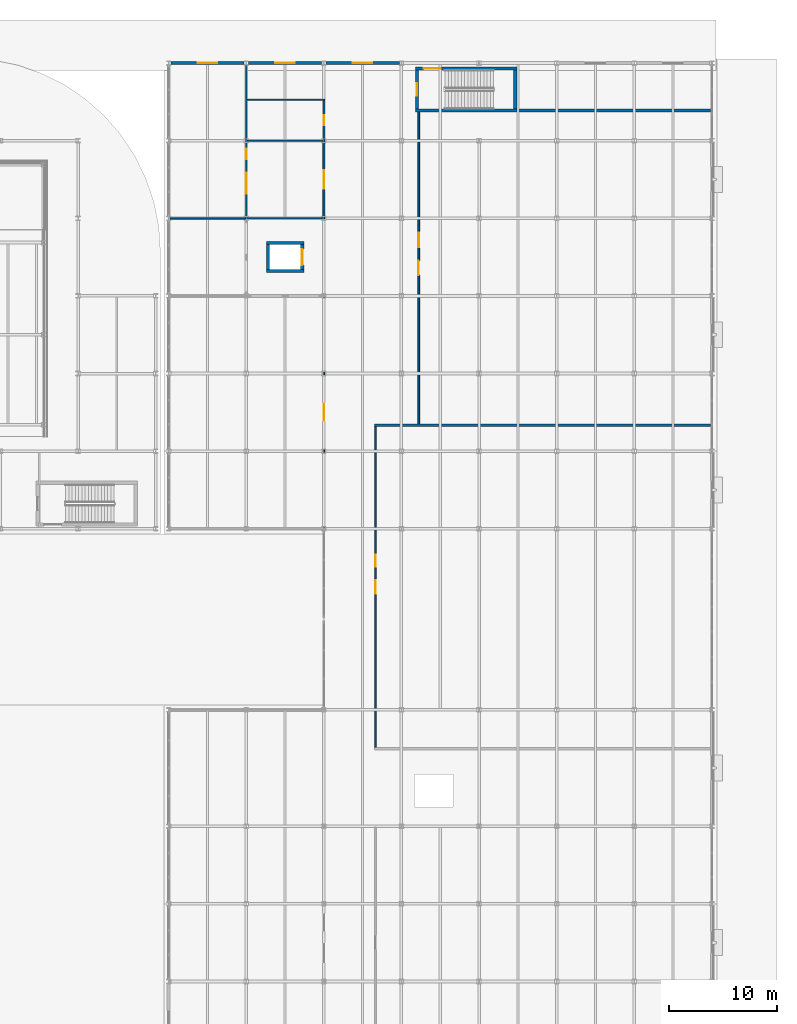
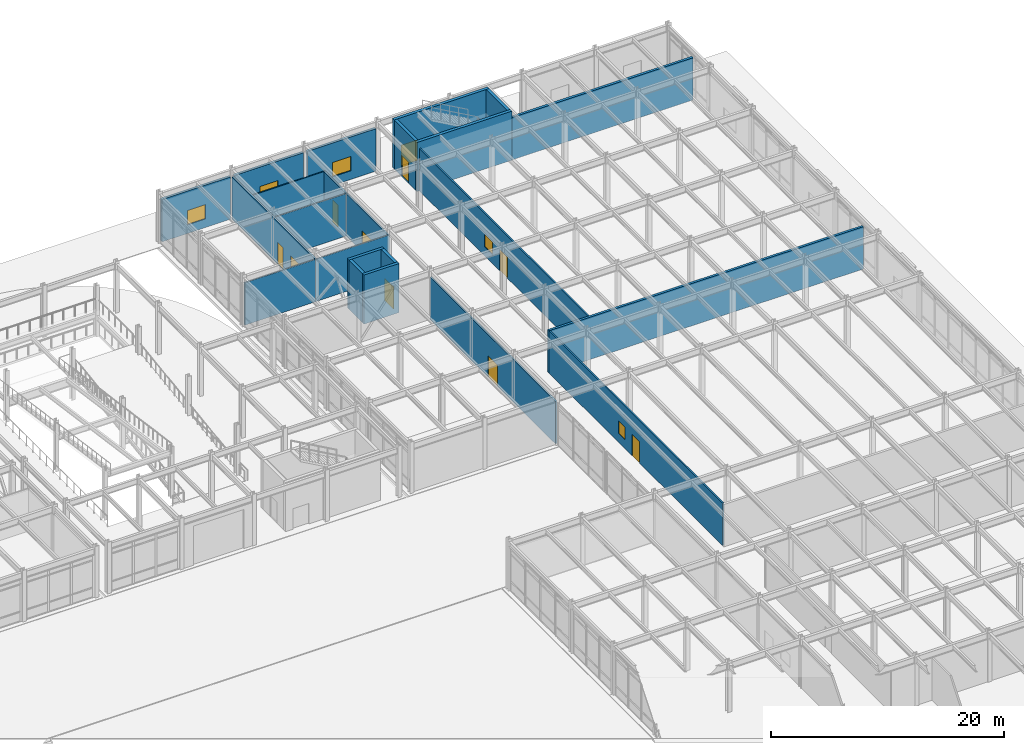
# One storey, part 78 of 104: 23 walls, 9 doors, 6 windows, 15 openings.
"""IFC4 building model written with IfcOpenShell, lengths in metres."""

from ifc_helpers import new_model, si_unit, direction, frame, frame_2d, origin, place, context, subcontext, project, spatial, rectangle, extrude, material, layer, layer_set, type_object, element, fill, save


model = new_model("IFC4")

# Units and contexts
model_context = context("Model", 3, precision=1e-05, world=origin(), true_north=direction((0.0, 1.0)))
body_context = subcontext(model_context, "Body", "Model", "MODEL_VIEW")
ifc_project = project(units=[si_unit("LENGTHUNIT", "METRE"), si_unit("AREAUNIT", "SQUARE_METRE"), si_unit("VOLUMEUNIT", "CUBIC_METRE"), si_unit("PLANEANGLEUNIT", "RADIAN"), si_unit("MASSUNIT", "GRAM", prefix="KILO")], contexts=[model_context])

# Site, building, storey
site_placement = place(None, origin())
site = spatial("IfcSite", under=ifc_project, at=site_placement, CompositionType="ELEMENT")
building_placement = place(site_placement, origin())
building = spatial("IfcBuilding", under=site, at=building_placement, Name="Vaelcorin Mobility Hub", CompositionType="ELEMENT")
storey_placement = place(building_placement, origin())
storey = spatial("IfcBuildingStorey", under=building, at=storey_placement, Name="L00", CompositionType="ELEMENT", Elevation=0.0)

# Wall
ifc_material_1 = material(Name="Reinforced concrete f'c 45 MPa", Category="concrete")
ifc_layer_1 = layer(ifc_material_1, 0.300048828125)
ifc_layer_set_1 = layer_set([ifc_layer_1], Name="Reinforced concrete f'c 45 MPa")
wall_type_1 = type_object("IfcWallType", Name="WL-CORE-300", PredefinedType="SOLIDWALL", material=ifc_layer_set_1)
wall_1_placement = place(storey_placement, frame((185.89990234375, 115.60009765625, 0.0), z_axis=(0.0, 0.0, 1.0), x_axis=(-1.0, 0.0, 0.0)))
element("IfcWall", 1, at=wall_1_placement, inside=storey, type_object=wall_type_1, Name="ST6 Fire Core Wall L00 South", PredefinedType="SOLIDWALL", context=body_context, shape_type="SweptSolid", body=[
    extrude(rectangle(XDim=9.39990234375, YDim=0.300048828125, at=frame_2d((4.699951171875, 0.0))), origin(), (0.0, 0.0, 1.0), 5.139892578125),
])

# Wall, opening, door
wall_2_placement = place(storey_placement, frame((176.5, 119.5, 0.0), z_axis=(0.0, 0.0, 1.0), x_axis=(1.0, 0.0, 0.0)))
wall_2 = element("IfcWall", 2, at=wall_2_placement, inside=storey, type_object=wall_type_1, Name="ST6 Fire Core Wall L00 North", PredefinedType="SOLIDWALL", context=body_context, shape_type="SweptSolid", body=[
    extrude(rectangle(XDim=9.39990234375, YDim=0.300048828125, at=frame_2d((4.699951171875, 0.0))), origin(), (0.0, 0.0, 1.0), 5.139892578125),
])
opening_1_placement = place(wall_2_placement, frame((0.75, 0.0, 0.0)))
opening_1 = element("IfcOpeningElement", 3, at=opening_1_placement, cuts=wall_2, Name="Opening SD03", PredefinedType="OPENING", context=body_context, shape_type="SweptSolid", body=[
    extrude(rectangle(XDim=1.60009765625, YDim=2.14990234375, at=frame_2d((0.800048828125, 1.074951171875))), frame((0.0, 0.159912109375, 0.0), z_axis=(0.0, -1.0, 0.0), x_axis=(1.0, 0.0, 0.0)), (0.0, 0.0, 1.0), 0.320068359375),
])
ifc_material_2 = material(Name="Hollow-metal insulated steel fire door", Category="steel")
door_type_1 = type_object("IfcDoorType", Name="DR-STAIR-EXIT", OperationType="NOTDEFINED", PredefinedType="DOOR", material=ifc_material_2)
door_1_placement = place(opening_1_placement, origin())
door_1 = element("IfcDoor", 4, at=door_1_placement, inside=storey, type_object=door_type_1, Name="ST6 Final Exit Discharge Door L00", OperationType="SINGLE_SWING_RIGHT", OverallHeight=2.14990234375, OverallWidth=1.60009765625, PredefinedType="DOOR", context=body_context, shape_type="SweptSolid", body=[
    extrude(rectangle(XDim=1.60009765625, YDim=2.14990234375, at=frame_2d((0.800048828125, 1.074951171875))), frame((0.0, 0.02490234375, 0.0), z_axis=(0.0, -1.0, 0.0), x_axis=(1.0, 0.0, 0.0)), (0.0, 0.0, 1.0), 0.050048828125),
])
fill(opening_1, door_1)

wall_3_placement = place(storey_placement, frame((176.64990234375, 115.75, 0.0), z_axis=(0.0, 0.0, 1.0), x_axis=(0.0, 1.0, 0.0)))
wall_3 = element("IfcWall", 5, at=wall_3_placement, inside=storey, type_object=wall_type_1, Name="ST6 Fire Core Wall L00 West", PredefinedType="SOLIDWALL", context=body_context, shape_type="SweptSolid", body=[
    extrude(rectangle(XDim=3.60009765625, YDim=0.300048828125, at=frame_2d((1.800048828125, 0.0))), origin(), (0.0, 0.0, 1.0), 5.139892578125),
])
opening_2_placement = place(wall_3_placement, frame((1.199951171875, 0.0, 0.0)))
opening_2 = element("IfcOpeningElement", 6, at=opening_2_placement, cuts=wall_3, Name="Opening SD01", PredefinedType="OPENING", context=body_context, shape_type="SweptSolid", body=[
    extrude(rectangle(XDim=1.199951171875, YDim=2.199951171875, at=frame_2d((0.60009765625, 1.10009765625))), frame((0.0, 0.159912109375, 0.0), z_axis=(0.0, -1.0, 0.0), x_axis=(1.0, 0.0, 0.0)), (0.0, 0.0, 1.0), 0.320068359375),
])
door_type_2 = type_object("IfcDoorType", Name="DR-STAIR-90", OperationType="NOTDEFINED", PredefinedType="DOOR", material=ifc_material_2)
door_2_placement = place(opening_2_placement, origin())
door_2 = element("IfcDoor", 7, at=door_2_placement, inside=storey, type_object=door_type_2, Name="ST6 Protected Stair Door L00", OperationType="SINGLE_SWING_LEFT", OverallHeight=2.199951171875, OverallWidth=1.199951171875, PredefinedType="DOOR", context=body_context, shape_type="SweptSolid", body=[
    extrude(rectangle(XDim=1.199951171875, YDim=2.199951171875, at=frame_2d((0.60009765625, 1.10009765625))), frame((0.0, 0.02490234375, 0.0), z_axis=(0.0, -1.0, 0.0), x_axis=(1.0, 0.0, 0.0)), (0.0, 0.0, 1.0), 0.050048828125),
])
fill(opening_2, door_2)

# Wall
wall_4_placement = place(storey_placement, frame((185.75, 119.35009765625, 0.0), z_axis=(0.0, 0.0, 1.0), x_axis=(0.0, -1.0, 0.0)))
element("IfcWall", 8, at=wall_4_placement, inside=storey, type_object=wall_type_1, Name="ST6 Fire Core Wall L00 East", PredefinedType="SOLIDWALL", context=body_context, shape_type="SweptSolid", body=[
    extrude(rectangle(XDim=3.60009765625, YDim=0.300048828125, at=frame_2d((1.800048828125, 0.0))), origin(), (0.0, 0.0, 1.0), 5.139892578125),
])

# Wall, opening, window
ifc_material_3 = material(Name="Insulated exterior precast concrete C40/50", Category="concrete")
ifc_layer_2 = layer(ifc_material_3, 0.260009765625)
ifc_layer_set_2 = layer_set([ifc_layer_2], Name="Insulated exterior precast concrete C40/50")
wall_type_2 = type_object("IfcWallType", Name="WL-EXT-260", PredefinedType="STANDARD", material=ifc_layer_set_2)
wall_5_placement = place(storey_placement, frame((153.804931640625, 120.0, 0.0), z_axis=(0.0, 0.0, 1.0), x_axis=(1.0, 0.0, 0.0)))
wall_5 = element("IfcWall", 9, at=wall_5_placement, inside=storey, type_object=wall_type_2, Name="L00 Exterior Wall V5-EW-L00-N-01", PredefinedType="STANDARD", context=body_context, shape_type="SweptSolid", body=[
    extrude(rectangle(XDim=6.7900390625, YDim=0.260009765625, at=frame_2d((3.39501953125, 0.0))), origin(), (0.0, 0.0, 1.0), 4.44189453125),
])
opening_3_placement = place(wall_5_placement, frame((2.4951171875, 0.0, 0.89990234375)))
opening_3 = element("IfcOpeningElement", 10, at=opening_3_placement, cuts=wall_5, Name="Opening WN12", PredefinedType="OPENING", context=body_context, shape_type="SweptSolid", body=[
    extrude(rectangle(XDim=1.800048828125, YDim=1.5, at=frame_2d((0.89990234375, 0.75))), frame((0.0, 0.139892578125, 0.0), z_axis=(0.0, -1.0, 0.0), x_axis=(1.0, 0.0, 0.0)), (0.0, 0.0, 1.0), 0.280029296875),
])
ifc_material_4 = material(Name="Double-glazed low-E window unit", Category="glass")
window_type_1 = type_object("IfcWindowType", Name="WIN-1800X1500", PartitioningType="SINGLE_PANEL", PredefinedType="WINDOW", material=ifc_material_4)
window_1_placement = place(opening_3_placement, origin())
window_1 = element("IfcWindow", 11, at=window_1_placement, inside=storey, type_object=window_type_1, Name="L00 Window V5-EW-L00-N-01-WN", OverallHeight=1.5, OverallWidth=1.800048828125, PartitioningType="SINGLE_PANEL", PredefinedType="WINDOW", context=body_context, shape_type="SweptSolid", body=[
    extrude(rectangle(XDim=1.800048828125, YDim=1.5, at=frame_2d((0.89990234375, 0.75))), frame((0.0, 0.030029296875, 0.0), z_axis=(0.0, -1.0, 0.0), x_axis=(1.0, 0.0, 0.0)), (0.0, 0.0, 1.0), 0.06005859375),
])
fill(opening_3, window_1)

wall_6_placement = place(storey_placement, frame((161.0048828125, 120.0, 0.0), z_axis=(0.0, 0.0, 1.0), x_axis=(1.0, 0.0, 0.0)))
wall_6 = element("IfcWall", 12, at=wall_6_placement, inside=storey, type_object=wall_type_2, Name="L00 Exterior Wall V5-EW-L00-N-02", PredefinedType="STANDARD", context=body_context, shape_type="SweptSolid", body=[
    extrude(rectangle(XDim=6.7900390625, YDim=0.260009765625, at=frame_2d((3.39501953125, 0.0))), origin(), (0.0, 0.0, 1.0), 4.44189453125),
])
opening_4_placement = place(wall_6_placement, frame((2.4951171875, 0.0, 0.89990234375)))
opening_4 = element("IfcOpeningElement", 13, at=opening_4_placement, cuts=wall_6, Name="Opening WN12", PredefinedType="OPENING", context=body_context, shape_type="SweptSolid", body=[
    extrude(rectangle(XDim=1.800048828125, YDim=1.5, at=frame_2d((0.89990234375, 0.75))), frame((0.0, 0.139892578125, 0.0), z_axis=(0.0, -1.0, 0.0), x_axis=(1.0, 0.0, 0.0)), (0.0, 0.0, 1.0), 0.280029296875),
])
window_2_placement = place(opening_4_placement, origin())
window_2 = element("IfcWindow", 14, at=window_2_placement, inside=storey, type_object=window_type_1, Name="L00 Window V5-EW-L00-N-02-WN", OverallHeight=1.5, OverallWidth=1.800048828125, PartitioningType="SINGLE_PANEL", PredefinedType="WINDOW", context=body_context, shape_type="SweptSolid", body=[
    extrude(rectangle(XDim=1.800048828125, YDim=1.5, at=frame_2d((0.89990234375, 0.75))), frame((0.0, 0.030029296875, 0.0), z_axis=(0.0, -1.0, 0.0), x_axis=(1.0, 0.0, 0.0)), (0.0, 0.0, 1.0), 0.06005859375),
])
fill(opening_4, window_2)

wall_7_placement = place(storey_placement, frame((168.205078125, 120.0, 0.0), z_axis=(0.0, 0.0, 1.0), x_axis=(1.0, 0.0, 0.0)))
wall_7 = element("IfcWall", 15, at=wall_7_placement, inside=storey, type_object=wall_type_2, Name="L00 Exterior Wall V5-EW-L00-N-03", PredefinedType="STANDARD", context=body_context, shape_type="SweptSolid", body=[
    extrude(rectangle(XDim=6.7900390625, YDim=0.260009765625, at=frame_2d((3.39501953125, 0.0))), origin(), (0.0, 0.0, 1.0), 4.44189453125),
])
opening_5_placement = place(wall_7_placement, frame((2.4951171875, 0.0, 0.89990234375)))
opening_5 = element("IfcOpeningElement", 16, at=opening_5_placement, cuts=wall_7, Name="Opening WN12", PredefinedType="OPENING", context=body_context, shape_type="SweptSolid", body=[
    extrude(rectangle(XDim=1.800048828125, YDim=1.5, at=frame_2d((0.89990234375, 0.75))), frame((0.0, 0.139892578125, 0.0), z_axis=(0.0, -1.0, 0.0), x_axis=(1.0, 0.0, 0.0)), (0.0, 0.0, 1.0), 0.280029296875),
])
window_3_placement = place(opening_5_placement, origin())
window_3 = element("IfcWindow", 17, at=window_3_placement, inside=storey, type_object=window_type_1, Name="L00 Window V5-EW-L00-N-03-WN", OverallHeight=1.5, OverallWidth=1.800048828125, PartitioningType="SINGLE_PANEL", PredefinedType="WINDOW", context=body_context, shape_type="SweptSolid", body=[
    extrude(rectangle(XDim=1.800048828125, YDim=1.5, at=frame_2d((0.89990234375, 0.75))), frame((0.0, 0.030029296875, 0.0), z_axis=(0.0, -1.0, 0.0), x_axis=(1.0, 0.0, 0.0)), (0.0, 0.0, 1.0), 0.06005859375),
])
fill(opening_5, window_3)

# Walls
ifc_material_5 = material(Name="Fire-rated acoustic steel-stud gypsum board", Category="steel")
ifc_layer_3 = layer(ifc_material_5, 0.110107421875)
ifc_layer_set_3 = layer_set([ifc_layer_3], Name="Fire-rated acoustic steel-stud gypsum board")
wall_type_3 = type_object("IfcWallType", Name="WL-PART-110", PredefinedType="PARTITIONING", material=ifc_layer_set_3)
wall_8_placement = place(storey_placement, frame((168.080078125, 105.60009765625, 0.0), z_axis=(0.0, 0.0, 1.0), x_axis=(-1.0, 0.0, 0.0)))
element("IfcWall", 18, at=wall_8_placement, inside=storey, type_object=wall_type_3, Name="East Wing Public Restrooms L00 Partition South", PredefinedType="PARTITIONING", context=body_context, shape_type="SweptSolid", body=[
    extrude(rectangle(XDim=7.360107421875, YDim=0.110107421875, at=frame_2d((3.68017578125, 0.0))), origin(), (0.0, 0.0, 1.0), 4.43701171875),
])
ifc_layer_4 = layer(ifc_material_5, 0.114990234375)
ifc_layer_set_4 = layer_set([ifc_layer_4], Name="Fire-rated acoustic steel-stud gypsum board")
wall_type_4 = type_object("IfcWallType", Name="WL-PART-115", PredefinedType="PARTITIONING", material=ifc_layer_set_4)
wall_9_placement = place(storey_placement, frame((160.89501953125, 112.800048828125, 0.0), z_axis=(0.0, 0.0, 1.0), x_axis=(1.0, 0.0, 0.0)))
element("IfcWall", 19, at=wall_9_placement, inside=storey, type_object=wall_type_4, Name="East Wing Public Restrooms L00 Partition North", PredefinedType="PARTITIONING", context=body_context, shape_type="SweptSolid", body=[
    extrude(rectangle(XDim=7.18505859375, YDim=0.114990234375, at=frame_2d((3.592529296875, 0.0))), origin(), (0.0, 0.0, 1.0), 4.43701171875),
])
ifc_layer_5 = layer(ifc_material_5, 0.1201171875)
ifc_layer_set_5 = layer_set([ifc_layer_5], Name="Fire-rated acoustic steel-stud gypsum board")
wall_type_5 = type_object("IfcWallType", Name="WL-PART-120", PredefinedType="PARTITIONING", material=ifc_layer_set_5)
wall_10_placement = place(storey_placement, frame((160.89501953125, 116.60009765625, 0.0), z_axis=(0.0, 0.0, 1.0), x_axis=(1.0, 0.0, 0.0)))
element("IfcWall", 20, at=wall_10_placement, inside=storey, type_object=wall_type_5, Name="Accessible WC East L00 Partition North", PredefinedType="PARTITIONING", context=body_context, shape_type="SweptSolid", body=[
    extrude(rectangle(XDim=7.18505859375, YDim=0.1201171875, at=frame_2d((3.592529296875, 0.0))), origin(), (0.0, 0.0, 1.0), 4.43701171875),
])
ifc_layer_6 = layer(ifc_material_5, 0.125)
ifc_layer_set_6 = layer_set([ifc_layer_6], Name="Fire-rated acoustic steel-stud gypsum board")
wall_type_6 = type_object("IfcWallType", Name="WL-PART-125", PredefinedType="PARTITIONING", material=ifc_layer_set_6)
wall_11_placement = place(storey_placement, frame((160.718017578125, 105.60009765625, 0.0), z_axis=(0.0, 0.0, 1.0), x_axis=(-1.0, 0.0, 0.0)))
element("IfcWall", 21, at=wall_11_placement, inside=storey, type_object=wall_type_6, Name="Commuter Helmet and Gear Store Partition South", PredefinedType="PARTITIONING", context=body_context, shape_type="SweptSolid", body=[
    extrude(rectangle(XDim=6.986083984375, YDim=0.125, at=frame_2d((3.4931640625, 0.0))), origin(), (0.0, 0.0, 1.0), 4.43701171875),
])

# Wall, openings, door, window
ifc_layer_7 = layer(ifc_material_5, 0.14501953125)
ifc_layer_set_7 = layer_set([ifc_layer_7], Name="Fire-rated acoustic steel-stud gypsum board")
wall_type_7 = type_object("IfcWallType", Name="WL-PART-145", PredefinedType="PARTITIONING", material=ifc_layer_set_7)
wall_12_placement = place(storey_placement, frame((172.800048828125, 56.513916015625, 0.0), z_axis=(0.0, 0.0, 1.0), x_axis=(0.0, 1.0, 0.0)))
wall_12 = element("IfcWall", 22, at=wall_12_placement, inside=storey, type_object=wall_type_7, Name="Cycle Repair Workshop Partition West", PredefinedType="PARTITIONING", context=body_context, shape_type="SweptSolid", body=[
    extrude(rectangle(XDim=29.76611328125, YDim=0.14501953125, at=frame_2d((14.883056640625, 0.0))), origin(), (0.0, 0.0, 1.0), 4.43701171875),
])
opening_6_placement = place(wall_12_placement, frame((14.2529296875, 0.0, 0.0)))
opening_6 = element("IfcOpeningElement", 23, at=opening_6_placement, cuts=wall_12, Name="Opening ID28", PredefinedType="OPENING", context=body_context, shape_type="SweptSolid", body=[
    extrude(rectangle(XDim=1.260009765625, YDim=2.219970703125, at=frame_2d((0.6298828125, 1.10986328125))), frame((0.0, 0.08251953125, 0.0), z_axis=(0.0, -1.0, 0.0), x_axis=(1.0, 0.0, 0.0)), (0.0, 0.0, 1.0), 0.1650390625),
])
opening_7_placement = place(wall_12_placement, frame((16.762939453125, 0.0, 0.949951171875)))
opening_7 = element("IfcOpeningElement", 24, at=opening_7_placement, cuts=wall_12, Name="Opening IW-WN09", PredefinedType="OPENING", context=body_context, shape_type="SweptSolid", body=[
    extrude(rectangle(XDim=1.10009765625, YDim=1.300048828125, at=frame_2d((0.550048828125, 0.64990234375))), frame((0.0, 0.08251953125, 0.0), z_axis=(0.0, -1.0, 0.0), x_axis=(1.0, 0.0, 0.0)), (0.0, 0.0, 1.0), 0.1650390625),
])
ifc_material_6 = material(Name="Solid-core hardwood fire door assembly", Category="wood")
door_type_3 = type_object("IfcDoorType", Name="DR-INT-28", OperationType="NOTDEFINED", PredefinedType="DOOR", material=ifc_material_6)
door_3_placement = place(opening_6_placement, origin())
door_3 = element("IfcDoor", 25, at=door_3_placement, inside=storey, type_object=door_type_3, Name="Cycle Repair Workshop Door", OperationType="SINGLE_SWING_RIGHT", OverallHeight=2.219970703125, OverallWidth=1.260009765625, PredefinedType="DOOR", context=body_context, shape_type="SweptSolid", body=[
    extrude(rectangle(XDim=1.260009765625, YDim=2.219970703125, at=frame_2d((0.6298828125, 1.10986328125))), frame((0.0, 0.02490234375, 0.0), z_axis=(0.0, -1.0, 0.0), x_axis=(1.0, 0.0, 0.0)), (0.0, 0.0, 1.0), 0.050048828125),
])
fill(opening_6, door_3)
ifc_material_7 = material(Name="Acoustic laminated fire-rated interior glazing", Category="glass")
window_type_2 = type_object("IfcWindowType", Name="WIN-INT-09", PartitioningType="SINGLE_PANEL", PredefinedType="WINDOW", material=ifc_material_7)
window_4_placement = place(opening_7_placement, origin())
window_4 = element("IfcWindow", 26, at=window_4_placement, inside=storey, type_object=window_type_2, Name="Cycle Repair Workshop Observation Glazing", OverallHeight=1.300048828125, OverallWidth=1.10009765625, PartitioningType="SINGLE_PANEL", PredefinedType="WINDOW", context=body_context, shape_type="SweptSolid", body=[
    extrude(rectangle(XDim=1.10009765625, YDim=1.300048828125, at=frame_2d((0.550048828125, 0.64990234375))), frame((0.0, 0.030029296875, 0.0), z_axis=(0.0, -1.0, 0.0), x_axis=(1.0, 0.0, 0.0)), (0.0, 0.0, 1.0), 0.06005859375),
])
fill(opening_7, window_4)

ifc_layer_8 = layer(ifc_material_5, 0.14990234375)
ifc_layer_set_8 = layer_set([ifc_layer_8], Name="Fire-rated acoustic steel-stud gypsum board")
wall_type_8 = type_object("IfcWallType", Name="WL-PART-150", PredefinedType="PARTITIONING", material=ifc_layer_set_8)
wall_13_placement = place(storey_placement, frame((176.800048828125, 86.52001953125, 0.0), z_axis=(0.0, 0.0, 1.0), x_axis=(0.0, 1.0, 0.0)))
wall_13 = element("IfcWall", 27, at=wall_13_placement, inside=storey, type_object=wall_type_8, Name="Primary Commuter Bicycle Store Partition West", PredefinedType="PARTITIONING", context=body_context, shape_type="SweptSolid", body=[
    extrude(rectangle(XDim=28.927978515625, YDim=0.14990234375, at=frame_2d((14.4638671875, 0.0))), origin(), (0.0, 0.0, 1.0), 4.43701171875),
])
opening_8_placement = place(wall_13_placement, frame((13.783935546875, 0.0, 0.0)))
opening_8 = element("IfcOpeningElement", 28, at=opening_8_placement, cuts=wall_13, Name="Opening ID29", PredefinedType="OPENING", context=body_context, shape_type="SweptSolid", body=[
    extrude(rectangle(XDim=1.360107421875, YDim=2.219970703125, at=frame_2d((0.68017578125, 1.10986328125))), frame((0.0, 0.0849609375, 0.0), z_axis=(0.0, -1.0, 0.0), x_axis=(1.0, 0.0, 0.0)), (0.0, 0.0, 1.0), 0.169921875),
])
opening_9_placement = place(wall_13_placement, frame((16.39404296875, 0.0, 0.949951171875)))
opening_9 = element("IfcOpeningElement", 29, at=opening_9_placement, cuts=wall_13, Name="Opening IW-WN10", PredefinedType="OPENING", context=body_context, shape_type="SweptSolid", body=[
    extrude(rectangle(XDim=1.35009765625, YDim=1.300048828125, at=frame_2d((0.675048828125, 0.64990234375))), frame((0.0, 0.0849609375, 0.0), z_axis=(0.0, -1.0, 0.0), x_axis=(1.0, 0.0, 0.0)), (0.0, 0.0, 1.0), 0.169921875),
])
door_type_4 = type_object("IfcDoorType", Name="DR-INT-29", OperationType="NOTDEFINED", PredefinedType="DOOR", material=ifc_material_6)
door_4_placement = place(opening_8_placement, origin())
door_4 = element("IfcDoor", 30, at=door_4_placement, inside=storey, type_object=door_type_4, Name="Primary Commuter Bicycle Store Door", OperationType="SINGLE_SWING_LEFT", OverallHeight=2.219970703125, OverallWidth=1.360107421875, PredefinedType="DOOR", context=body_context, shape_type="SweptSolid", body=[
    extrude(rectangle(XDim=1.360107421875, YDim=2.219970703125, at=frame_2d((0.68017578125, 1.10986328125))), frame((0.0, 0.02490234375, 0.0), z_axis=(0.0, -1.0, 0.0), x_axis=(1.0, 0.0, 0.0)), (0.0, 0.0, 1.0), 0.050048828125),
])
fill(opening_8, door_4)
window_type_3 = type_object("IfcWindowType", Name="WIN-INT-10", PartitioningType="SINGLE_PANEL", PredefinedType="WINDOW", material=ifc_material_7)
window_5_placement = place(opening_9_placement, origin())
window_5 = element("IfcWindow", 31, at=window_5_placement, inside=storey, type_object=window_type_3, Name="Primary Commuter Bicycle Store Observation Glazing", OverallHeight=1.300048828125, OverallWidth=1.35009765625, PartitioningType="SINGLE_PANEL", PredefinedType="WINDOW", context=body_context, shape_type="SweptSolid", body=[
    extrude(rectangle(XDim=1.35009765625, YDim=1.300048828125, at=frame_2d((0.675048828125, 0.64990234375))), frame((0.0, 0.030029296875, 0.0), z_axis=(0.0, -1.0, 0.0), x_axis=(1.0, 0.0, 0.0)), (0.0, 0.0, 1.0), 0.06005859375),
])
fill(opening_9, window_5)

# Wall, opening, door
ifc_layer_9 = layer(ifc_material_5, 0.159912109375)
ifc_layer_set_9 = layer_set([ifc_layer_9], Name="Fire-rated acoustic steel-stud gypsum board")
wall_type_9 = type_object("IfcWallType", Name="WL-PART-160", PredefinedType="PARTITIONING", material=ifc_layer_set_9)
wall_14_placement = place(storey_placement, frame((168.0, 98.345947265625, 0.0), z_axis=(0.0, 0.0, 1.0), x_axis=(0.0, -1.0, 0.0)))
wall_14 = element("IfcWall", 32, at=wall_14_placement, inside=storey, type_object=wall_type_9, Name="Cyclist Changing and Shower Suite Partition East", PredefinedType="PARTITIONING", context=body_context, shape_type="SweptSolid", body=[
    extrude(rectangle(XDim=21.493896484375, YDim=0.159912109375, at=frame_2d((10.7470703125, 0.0))), origin(), (0.0, 0.0, 1.0), 4.43701171875),
])
opening_10_placement = place(wall_14_placement, frame((9.947021484375, 0.0, 0.0)))
opening_10 = element("IfcOpeningElement", 33, at=opening_10_placement, cuts=wall_14, Name="Opening ID31", PredefinedType="OPENING", context=body_context, shape_type="SweptSolid", body=[
    extrude(rectangle(XDim=1.60009765625, YDim=2.219970703125, at=frame_2d((0.800048828125, 1.10986328125))), frame((0.0, 0.08984375, 0.0), z_axis=(0.0, -1.0, 0.0), x_axis=(1.0, 0.0, 0.0)), (0.0, 0.0, 1.0), 0.179931640625),
])
door_type_5 = type_object("IfcDoorType", Name="DR-INT-31", OperationType="NOTDEFINED", PredefinedType="DOOR", material=ifc_material_2)
door_5_placement = place(opening_10_placement, origin())
door_5 = element("IfcDoor", 34, at=door_5_placement, inside=storey, type_object=door_type_5, Name="Cyclist Changing and Shower Suite Door", OperationType="SINGLE_SWING_LEFT", OverallHeight=2.219970703125, OverallWidth=1.60009765625, PredefinedType="DOOR", context=body_context, shape_type="SweptSolid", body=[
    extrude(rectangle(XDim=1.60009765625, YDim=2.219970703125, at=frame_2d((0.800048828125, 1.10986328125))), frame((0.0, 0.02490234375, 0.0), z_axis=(0.0, -1.0, 0.0), x_axis=(1.0, 0.0, 0.0)), (0.0, 0.0, 1.0), 0.050048828125),
])
fill(opening_10, door_5)

ifc_layer_10 = layer(ifc_material_5, 0.1650390625)
ifc_layer_set_10 = layer_set([ifc_layer_10], Name="Fire-rated acoustic steel-stud gypsum board")
wall_type_10 = type_object("IfcWallType", Name="WL-PART-165", PredefinedType="PARTITIONING", material=ifc_layer_set_10)
wall_15_placement = place(storey_placement, frame((168.0, 112.739990234375, 0.0), z_axis=(0.0, 0.0, 1.0), x_axis=(0.0, -1.0, 0.0)))
wall_15 = element("IfcWall", 35, at=wall_15_placement, inside=storey, type_object=wall_type_10, Name="East Wing Public Restrooms L00 Partition East", PredefinedType="PARTITIONING", context=body_context, shape_type="SweptSolid", body=[
    extrude(rectangle(XDim=7.0830078125, YDim=0.1650390625, at=frame_2d((3.54150390625, 0.0))), origin(), (0.0, 0.0, 1.0), 4.43701171875),
])
opening_11_placement = place(wall_15_placement, frame((2.680908203125, 0.0, 0.0)))
opening_11 = element("IfcOpeningElement", 36, at=opening_11_placement, cuts=wall_15, Name="Opening ID32", PredefinedType="OPENING", context=body_context, shape_type="SweptSolid", body=[
    extrude(rectangle(XDim=1.719970703125, YDim=2.219970703125, at=frame_2d((0.85986328125, 1.10986328125))), frame((0.0, 0.092529296875, 0.0), z_axis=(0.0, -1.0, 0.0), x_axis=(1.0, 0.0, 0.0)), (0.0, 0.0, 1.0), 0.18505859375),
])
door_type_6 = type_object("IfcDoorType", Name="DR-INT-32", OperationType="NOTDEFINED", PredefinedType="DOOR", material=ifc_material_2)
door_6_placement = place(opening_11_placement, origin())
door_6 = element("IfcDoor", 37, at=door_6_placement, inside=storey, type_object=door_type_6, Name="East Wing Public Restrooms L00 Door", OperationType="SINGLE_SWING_RIGHT", OverallHeight=2.219970703125, OverallWidth=1.719970703125, PredefinedType="DOOR", context=body_context, shape_type="SweptSolid", body=[
    extrude(rectangle(XDim=1.719970703125, YDim=2.219970703125, at=frame_2d((0.85986328125, 1.10986328125))), frame((0.0, 0.02490234375, 0.0), z_axis=(0.0, -1.0, 0.0), x_axis=(1.0, 0.0, 0.0)), (0.0, 0.0, 1.0), 0.050048828125),
])
fill(opening_11, door_6)

ifc_layer_11 = layer(ifc_material_5, 0.169921875)
ifc_layer_set_11 = layer_set([ifc_layer_11], Name="Fire-rated acoustic steel-stud gypsum board")
wall_type_11 = type_object("IfcWallType", Name="WL-PART-170", PredefinedType="PARTITIONING", material=ifc_layer_set_11)
wall_16_placement = place(storey_placement, frame((168.0, 116.5380859375, 0.0), z_axis=(0.0, 0.0, 1.0), x_axis=(0.0, -1.0, 0.0)))
wall_16 = element("IfcWall", 38, at=wall_16_placement, inside=storey, type_object=wall_type_11, Name="Accessible WC East L00 Partition East", PredefinedType="PARTITIONING", context=body_context, shape_type="SweptSolid", body=[
    extrude(rectangle(XDim=3.677978515625, YDim=0.169921875, at=frame_2d((1.8388671875, 0.0))), origin(), (0.0, 0.0, 1.0), 4.43701171875),
])
opening_12_placement = place(wall_16_placement, frame((1.37890625, 0.0, 0.0)))
opening_12 = element("IfcOpeningElement", 39, at=opening_12_placement, cuts=wall_16, Name="Opening ID33", PredefinedType="OPENING", context=body_context, shape_type="SweptSolid", body=[
    extrude(rectangle(XDim=0.919921875, YDim=2.280029296875, at=frame_2d((0.4599609375, 1.14013671875))), frame((0.0, 0.094970703125, 0.0), z_axis=(0.0, -1.0, 0.0), x_axis=(1.0, 0.0, 0.0)), (0.0, 0.0, 1.0), 0.18994140625),
])
door_type_7 = type_object("IfcDoorType", Name="DR-INT-33", OperationType="NOTDEFINED", PredefinedType="DOOR", material=ifc_material_6)
door_7_placement = place(opening_12_placement, origin())
door_7 = element("IfcDoor", 40, at=door_7_placement, inside=storey, type_object=door_type_7, Name="Accessible WC East L00 Door", OperationType="SINGLE_SWING_LEFT", OverallHeight=2.280029296875, OverallWidth=0.919921875, PredefinedType="DOOR", context=body_context, shape_type="SweptSolid", body=[
    extrude(rectangle(XDim=0.919921875, YDim=2.280029296875, at=frame_2d((0.4599609375, 1.14013671875))), frame((0.0, 0.02490234375, 0.0), z_axis=(0.0, -1.0, 0.0), x_axis=(1.0, 0.0, 0.0)), (0.0, 0.0, 1.0), 0.050048828125),
])
fill(opening_12, door_7)

# Wall, openings, door, window
ifc_layer_12 = layer(ifc_material_5, 0.177978515625)
ifc_layer_set_12 = layer_set([ifc_layer_12], Name="Fire-rated acoustic steel-stud gypsum board")
wall_type_12 = type_object("IfcWallType", Name="WL-PART-178", PredefinedType="PARTITIONING", material=ifc_layer_set_12)
wall_17_placement = place(storey_placement, frame((160.800048828125, 119.85791015625, 0.0), z_axis=(0.0, 0.0, 1.0), x_axis=(0.0, -1.0, 0.0)))
wall_17 = element("IfcWall", 41, at=wall_17_placement, inside=storey, type_object=wall_type_12, Name="Commuter Helmet and Gear Store Partition East", PredefinedType="PARTITIONING", context=body_context, shape_type="SweptSolid", body=[
    extrude(rectangle(XDim=14.19384765625, YDim=0.177978515625, at=frame_2d((7.096923828125, 0.0))), origin(), (0.0, 0.0, 1.0), 4.43701171875),
])
opening_13_placement = place(wall_17_placement, frame((7.806884765625, 0.0, 0.0)))
opening_13 = element("IfcOpeningElement", 42, at=opening_13_placement, cuts=wall_17, Name="Opening ID34", PredefinedType="OPENING", context=body_context, shape_type="SweptSolid", body=[
    extrude(rectangle(XDim=0.97998046875, YDim=2.280029296875, at=frame_2d((0.489990234375, 1.14013671875))), frame((0.0, 0.098876953125, 0.0), z_axis=(0.0, -1.0, 0.0), x_axis=(1.0, 0.0, 0.0)), (0.0, 0.0, 1.0), 0.197998046875),
])
opening_14_placement = place(wall_17_placement, frame((10.037109375, 0.0, 0.949951171875)))
opening_14 = element("IfcOpeningElement", 43, at=opening_14_placement, cuts=wall_17, Name="Opening IW-WN12", PredefinedType="OPENING", context=body_context, shape_type="SweptSolid", body=[
    extrude(rectangle(XDim=1.949951171875, YDim=1.300048828125, at=frame_2d((0.97509765625, 0.64990234375))), frame((0.0, 0.098876953125, 0.0), z_axis=(0.0, -1.0, 0.0), x_axis=(1.0, 0.0, 0.0)), (0.0, 0.0, 1.0), 0.197998046875),
])
door_type_8 = type_object("IfcDoorType", Name="DR-INT-34", OperationType="NOTDEFINED", PredefinedType="DOOR", material=ifc_material_6)
door_8_placement = place(opening_13_placement, origin())
door_8 = element("IfcDoor", 44, at=door_8_placement, inside=storey, type_object=door_type_8, Name="Commuter Helmet and Gear Store Door", OperationType="SINGLE_SWING_RIGHT", OverallHeight=2.280029296875, OverallWidth=0.97998046875, PredefinedType="DOOR", context=body_context, shape_type="SweptSolid", body=[
    extrude(rectangle(XDim=0.97998046875, YDim=2.280029296875, at=frame_2d((0.489990234375, 1.14013671875))), frame((0.0, 0.02490234375, 0.0), z_axis=(0.0, -1.0, 0.0), x_axis=(1.0, 0.0, 0.0)), (0.0, 0.0, 1.0), 0.050048828125),
])
fill(opening_13, door_8)
window_type_4 = type_object("IfcWindowType", Name="WIN-INT-12", PartitioningType="SINGLE_PANEL", PredefinedType="WINDOW", material=ifc_material_7)
window_6_placement = place(opening_14_placement, origin())
window_6 = element("IfcWindow", 45, at=window_6_placement, inside=storey, type_object=window_type_4, Name="Commuter Helmet and Gear Store Observation Glazing", OverallHeight=1.300048828125, OverallWidth=1.949951171875, PartitioningType="SINGLE_PANEL", PredefinedType="WINDOW", context=body_context, shape_type="SweptSolid", body=[
    extrude(rectangle(XDim=1.949951171875, YDim=1.300048828125, at=frame_2d((0.97509765625, 0.64990234375))), frame((0.0, 0.030029296875, 0.0), z_axis=(0.0, -1.0, 0.0), x_axis=(1.0, 0.0, 0.0)), (0.0, 0.0, 1.0), 0.06005859375),
])
fill(opening_14, window_6)

# Walls
ifc_material_8 = material(Name="Reinforced acoustic concrete masonry C30/37", Category="masonry")
ifc_layer_13 = layer(ifc_material_8, 0.235107421875)
ifc_layer_set_13 = layer_set([ifc_layer_13], Name="Reinforced acoustic concrete masonry C30/37")
wall_type_13 = type_object("IfcWallType", Name="WL-PART-235", PredefinedType="PARTITIONING", material=ifc_layer_set_13)
wall_18_placement = place(storey_placement, frame((172.719970703125, 86.39990234375, 0.0), z_axis=(0.0, 0.0, 1.0), x_axis=(1.0, 0.0, 0.0)))
element("IfcWall", 46, at=wall_18_placement, inside=storey, type_object=wall_type_13, Name="Cycle Repair Workshop Partition North", PredefinedType="PARTITIONING", context=body_context, shape_type="SweptSolid", body=[
    extrude(rectangle(XDim=31.14794921875, YDim=0.235107421875, at=frame_2d((15.573974609375, 0.0))), origin(), (0.0, 0.0, 1.0), 4.43701171875),
])
ifc_layer_14 = layer(ifc_material_8, 0.25)
ifc_layer_set_14 = layer_set([ifc_layer_14], Name="Reinforced acoustic concrete masonry C30/37")
wall_type_14 = type_object("IfcWallType", Name="WL-PART-250", PredefinedType="PARTITIONING", material=ifc_layer_set_14)
wall_19_placement = place(storey_placement, frame((185.902099609375, 115.60009765625, 0.0), z_axis=(0.0, 0.0, 1.0), x_axis=(1.0, 0.0, 0.0)))
element("IfcWall", 47, at=wall_19_placement, inside=storey, type_object=wall_type_14, Name="Primary Commuter Bicycle Store Partition North", PredefinedType="PARTITIONING", context=body_context, shape_type="SweptSolid", body=[
    extrude(rectangle(XDim=17.9658203125, YDim=0.25, at=frame_2d((8.98291015625, 0.0))), origin(), (0.0, 0.0, 1.0), 4.43701171875),
])
ifc_layer_15 = layer(ifc_material_1, 0.2900390625)
ifc_layer_set_15 = layer_set([ifc_layer_15], Name="Reinforced concrete f'c 45 MPa")
wall_type_15 = type_object("IfcWallType", Name="WL-SHEAR-290", PredefinedType="SHEAR", material=ifc_layer_set_15)
for number, where, z_axis, x_axis, name in (
    (48, (166.139892578125, 100.705078125, 0.0), (0.0, 0.0, 1.0), (-1.0, 0.0, 0.0), "LF6 Lift Shaft Shear Wall L00 South"),
    (49, (162.659912109375, 103.294921875, 0.0), (0.0, 0.0, 1.0), (1.0, 0.0, 0.0), "LF6 Lift Shaft Shear Wall L00 North"),
):
    element("IfcWall", number, at=place(storey_placement, frame(where, z_axis=z_axis, x_axis=x_axis)), inside=storey, type_object=wall_type_15, Name=name, PredefinedType="SHEAR", context=body_context, shape_type="SweptSolid", body=[
        extrude(rectangle(XDim=3.47998046875, YDim=0.2900390625, at=frame_2d((1.739990234375, 0.0))), origin(), (0.0, 0.0, 1.0), 5.139892578125),
    ])
wall_20_placement = place(storey_placement, frame((162.804931640625, 100.85009765625, 0.0), z_axis=(0.0, 0.0, 1.0), x_axis=(0.0, 1.0, 0.0)))
element("IfcWall", 50, at=wall_20_placement, inside=storey, type_object=wall_type_15, Name="LF6 Lift Shaft Shear Wall L00 West", PredefinedType="SHEAR", context=body_context, shape_type="SweptSolid", body=[
    extrude(rectangle(XDim=2.2998046875, YDim=0.2900390625, at=frame_2d((1.14990234375, 0.0))), origin(), (0.0, 0.0, 1.0), 5.139892578125),
])

# Wall, opening, door
wall_21_placement = place(storey_placement, frame((165.9951171875, 103.14990234375, 0.0), z_axis=(0.0, 0.0, 1.0), x_axis=(0.0, -1.0, 0.0)))
wall_21 = element("IfcWall", 51, at=wall_21_placement, inside=storey, type_object=wall_type_15, Name="LF6 Lift Shaft Shear Wall L00 East", PredefinedType="SHEAR", context=body_context, shape_type="SweptSolid", body=[
    extrude(rectangle(XDim=2.2998046875, YDim=0.2900390625, at=frame_2d((1.14990234375, 0.0))), origin(), (0.0, 0.0, 1.0), 5.139892578125),
])
opening_15_placement = place(wall_21_placement, frame((0.39990234375, 0.0, 0.0)))
opening_15 = element("IfcOpeningElement", 52, at=opening_15_placement, cuts=wall_21, Name="Opening LD4", PredefinedType="OPENING", context=body_context, shape_type="SweptSolid", body=[
    extrude(rectangle(XDim=1.5, YDim=2.300048828125, at=frame_2d((0.75, 1.14990234375))), frame((0.0, 0.155029296875, 0.0), z_axis=(0.0, -1.0, 0.0), x_axis=(1.0, 0.0, 0.0)), (0.0, 0.0, 1.0), 0.31005859375),
])
ifc_material_9 = material(Name="Brushed stainless steel 316L", Category="steel")
door_type_9 = type_object("IfcDoorType", Name="DR-LIFT-LD4", OperationType="NOTDEFINED", PredefinedType="DOOR", material=ifc_material_9)
door_9_placement = place(opening_15_placement, origin())
door_9 = element("IfcDoor", 53, at=door_9_placement, inside=storey, type_object=door_type_9, Name="LF6 Lift Landing Sliding Door L00", OperationType="DOUBLE_DOOR_SLIDING", OverallHeight=2.300048828125, OverallWidth=1.5, PredefinedType="DOOR", context=body_context, shape_type="SweptSolid", body=[
    extrude(rectangle(XDim=1.5, YDim=2.300048828125, at=frame_2d((0.75, 1.14990234375))), frame((0.0, 0.02490234375, 0.0), z_axis=(0.0, -1.0, 0.0), x_axis=(1.0, 0.0, 0.0)), (0.0, 0.0, 1.0), 0.050048828125),
])
fill(opening_15, door_9)

save(model, "model.ifc")
